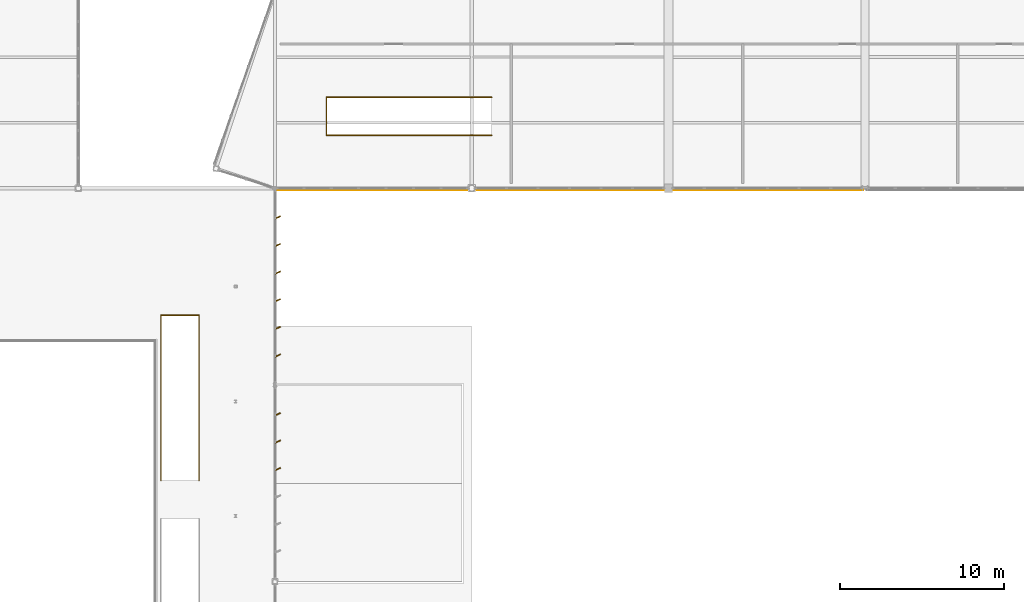
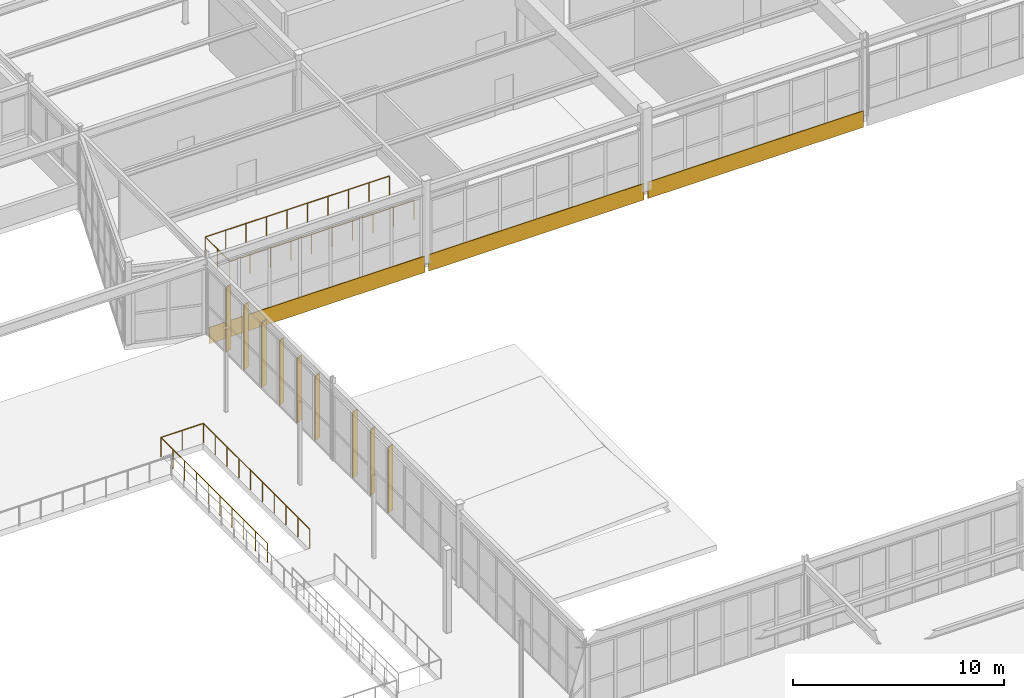
# One storey, part 221 of 226: 9 shading devices, 3 coverings, 2 railings.
"""IFC4 building model written with IfcOpenShell, lengths in metres."""

from ifc_helpers import new_model, si_unit, direction, frame, origin, origin_2d, place, context, subcontext, project, spatial, rectangle, circle, extrude, material, layer, layer_set, type_object, element, save


model = new_model("IFC4")

# Units and contexts
model_context = context("Model", 3, precision=1e-05, world=origin(), true_north=direction((0.0, 1.0)))
body_context = subcontext(model_context, "Body", "Model", "MODEL_VIEW")
ifc_project = project(units=[si_unit("LENGTHUNIT", "METRE"), si_unit("AREAUNIT", "SQUARE_METRE"), si_unit("VOLUMEUNIT", "CUBIC_METRE"), si_unit("PLANEANGLEUNIT", "RADIAN"), si_unit("MASSUNIT", "GRAM", prefix="KILO")], contexts=[model_context])

# Site, building, storey
site_placement = place(None, origin())
site = spatial("IfcSite", under=ifc_project, at=site_placement, CompositionType="ELEMENT")
building_placement = place(site_placement, origin())
building = spatial("IfcBuilding", under=site, at=building_placement, Name="Tarnwether General Hospital", CompositionType="ELEMENT")
storey_placement = place(building_placement, frame((0.0, 0.0, 4.800048828125)))
storey = spatial("IfcBuildingStorey", under=building, at=storey_placement, Name="L01", CompositionType="ELEMENT", Elevation=4.800048828125)

# Coverings
ifc_material_1 = material(Name="Folded zinc-titanium cladding")
ifc_layer_1 = layer(ifc_material_1, 0.0400390625)
ifc_layer_set_1 = layer_set([ifc_layer_1], Name="Folded zinc-titanium cladding")
covering_type = type_object("IfcCoveringType", Name="CV-CLD-ZNC", PredefinedType="CLADDING", material=ifc_layer_set_1)
for number, where, z_axis, x_axis, name in (
    (1, (150.0, 81.510009765625, -0.55517578125), (0.0, 0.0, 1.0), (1.0, 0.0, 0.0), "Deconstructivist Faceted Zinc Spandrel Blade 009"),
    (2, (162.0, 81.510009765625, -0.55517578125), (0.0, 0.0, 1.0), (1.0, 0.0, 0.0), "Deconstructivist Faceted Zinc Spandrel Blade 010"),
    (3, (174.0, 81.510009765625, -0.55517578125), (0.0, 0.0, 1.0), (1.0, 0.0, 0.0), "Deconstructivist Faceted Zinc Spandrel Blade 011"),
):
    element("IfcCovering", number, at=place(storey_placement, frame(where, z_axis=z_axis, x_axis=x_axis)), inside=storey, type_object=covering_type, Name=name, PredefinedType="CLADDING", context=body_context, shape_type="SweptSolid", body=[
        extrude(rectangle(XDim=11.800048828125, YDim=0.0400390625, at=origin_2d()), origin(), (0.0, 0.0, 1.0), 0.949951171875),
    ])

# Railings
ifc_material_2 = material(Name="Anodised aluminium", Category="aluminium")
railing_type = type_object("IfcRailingType", Name="RL-GRD-EXT", PredefinedType="GUARDRAIL", material=ifc_material_2)
railing_1_placement = place(storey_placement, frame((137.0400390625, 63.780029296875, 0.0)))
element("IfcRailing", 4, at=railing_1_placement, inside=storey, type_object=railing_type, Name="Feature Stair Well Guard ST-12 L01", PredefinedType="GUARDRAIL", context=body_context, shape_type="SweptSolid", body=[
    extrude(circle(Radius=0.02392578125, at=origin_2d()), frame((0.0, 0.0, 1.1259765625), z_axis=(0.0, 1.0, 0.0), x_axis=(-1.0, 0.0, 0.0)), (0.0, 0.0, 1.0), 10.080078125),
    extrude(circle(Radius=0.02392578125, at=origin_2d()), frame((0.0, 10.080078125, 1.1259765625), z_axis=(1.0, 0.0, 0.0), x_axis=(0.0, 1.0, 0.0)), (0.0, 0.0, 1.0), 2.320068359375),
    extrude(circle(Radius=0.02392578125, at=origin_2d()), frame((2.320068359375, 10.080078125, 1.1259765625), z_axis=(0.0, -1.0, 0.0), x_axis=(1.0, 0.0, 0.0)), (0.0, 0.0, 1.0), 10.080078125),
    extrude(circle(Radius=0.02099609375, at=origin_2d()), origin(), (0.0, 0.0, 1.0), 1.101806640625),
    extrude(circle(Radius=0.02099609375, at=origin_2d()), frame((0.0, 1.1201171875, 0.0)), (0.0, 0.0, 1.0), 1.101806640625),
    extrude(circle(Radius=0.02099609375, at=origin_2d()), frame((0.0, 2.239990234375, 0.0)), (0.0, 0.0, 1.0), 1.101806640625),
    extrude(circle(Radius=0.02099609375, at=origin_2d()), frame((0.0, 3.360107421875, 0.0)), (0.0, 0.0, 1.0), 1.101806640625),
    extrude(circle(Radius=0.02099609375, at=origin_2d()), frame((0.0, 4.47998046875, 0.0)), (0.0, 0.0, 1.0), 1.101806640625),
    extrude(circle(Radius=0.02099609375, at=origin_2d()), frame((0.0, 5.60009765625, 0.0)), (0.0, 0.0, 1.0), 1.101806640625),
    extrude(circle(Radius=0.02099609375, at=origin_2d()), frame((0.0, 6.719970703125, 0.0)), (0.0, 0.0, 1.0), 1.101806640625),
    extrude(circle(Radius=0.02099609375, at=origin_2d()), frame((0.0, 7.840087890625, 0.0)), (0.0, 0.0, 1.0), 1.101806640625),
    extrude(circle(Radius=0.02099609375, at=origin_2d()), frame((0.0, 8.9599609375, 0.0)), (0.0, 0.0, 1.0), 1.101806640625),
    extrude(circle(Radius=0.02099609375, at=origin_2d()), frame((0.0, 10.080078125, 0.0)), (0.0, 0.0, 1.0), 1.101806640625),
    extrude(circle(Radius=0.02099609375, at=origin_2d()), frame((1.16015625, 10.080078125, 0.0)), (0.0, 0.0, 1.0), 1.101806640625),
    extrude(circle(Radius=0.02099609375, at=origin_2d()), frame((2.320068359375, 10.080078125, 0.0)), (0.0, 0.0, 1.0), 1.101806640625),
    extrude(circle(Radius=0.02099609375, at=origin_2d()), frame((2.320068359375, 8.9599609375, 0.0)), (0.0, 0.0, 1.0), 1.101806640625),
    extrude(circle(Radius=0.02099609375, at=origin_2d()), frame((2.320068359375, 7.840087890625, 0.0)), (0.0, 0.0, 1.0), 1.101806640625),
    extrude(circle(Radius=0.02099609375, at=origin_2d()), frame((2.320068359375, 6.719970703125, 0.0)), (0.0, 0.0, 1.0), 1.101806640625),
    extrude(circle(Radius=0.02099609375, at=origin_2d()), frame((2.320068359375, 5.60009765625, 0.0)), (0.0, 0.0, 1.0), 1.101806640625),
    extrude(circle(Radius=0.02099609375, at=origin_2d()), frame((2.320068359375, 4.47998046875, 0.0)), (0.0, 0.0, 1.0), 1.101806640625),
    extrude(circle(Radius=0.02099609375, at=origin_2d()), frame((2.320068359375, 3.360107421875, 0.0)), (0.0, 0.0, 1.0), 1.101806640625),
    extrude(circle(Radius=0.02099609375, at=origin_2d()), frame((2.320068359375, 2.239990234375, 0.0)), (0.0, 0.0, 1.0), 1.101806640625),
    extrude(circle(Radius=0.02099609375, at=origin_2d()), frame((2.320068359375, 1.1201171875, 0.0)), (0.0, 0.0, 1.0), 1.101806640625),
    extrude(circle(Radius=0.02099609375, at=origin_2d()), frame((2.320068359375, 0.0, 0.0)), (0.0, 0.0, 1.0), 1.101806640625),
])
railing_2_placement = place(storey_placement, frame((157.219970703125, 84.840087890625, 0.0)))
element("IfcRailing", 5, at=railing_2_placement, inside=storey, type_object=railing_type, Name="Feature Stair Well Guard ST-14 L01", PredefinedType="GUARDRAIL", context=body_context, shape_type="SweptSolid", body=[
    extrude(circle(Radius=0.02392578125, at=origin_2d()), frame((0.0, 0.0, 1.1259765625), z_axis=(-1.0, 0.0, 0.0), x_axis=(0.0, -1.0, 0.0)), (0.0, 0.0, 1.0), 10.080078125),
    extrude(circle(Radius=0.02392578125, at=origin_2d()), frame((-10.080078125, 0.0, 1.1259765625), z_axis=(0.0, 1.0, 0.0), x_axis=(-1.0, 0.0, 0.0)), (0.0, 0.0, 1.0), 2.31982421875),
    extrude(circle(Radius=0.02392578125, at=origin_2d()), frame((-10.080078125, 2.31982421875, 1.1259765625), z_axis=(1.0, 0.0, 0.0), x_axis=(0.0, 1.0, 0.0)), (0.0, 0.0, 1.0), 10.080078125),
    extrude(circle(Radius=0.02099609375, at=origin_2d()), origin(), (0.0, 0.0, 1.0), 1.101806640625),
    extrude(circle(Radius=0.02099609375, at=origin_2d()), frame((-1.1201171875, 0.0, 0.0)), (0.0, 0.0, 1.0), 1.101806640625),
    extrude(circle(Radius=0.02099609375, at=origin_2d()), frame((-2.239990234375, 0.0, 0.0)), (0.0, 0.0, 1.0), 1.101806640625),
    extrude(circle(Radius=0.02099609375, at=origin_2d()), frame((-3.360107421875, 0.0, 0.0)), (0.0, 0.0, 1.0), 1.101806640625),
    extrude(circle(Radius=0.02099609375, at=origin_2d()), frame((-4.47998046875, 0.0, 0.0)), (0.0, 0.0, 1.0), 1.101806640625),
    extrude(circle(Radius=0.02099609375, at=origin_2d()), frame((-5.60009765625, 0.0, 0.0)), (0.0, 0.0, 1.0), 1.101806640625),
    extrude(circle(Radius=0.02099609375, at=origin_2d()), frame((-6.719970703125, 0.0, 0.0)), (0.0, 0.0, 1.0), 1.101806640625),
    extrude(circle(Radius=0.02099609375, at=origin_2d()), frame((-7.840087890625, 0.0, 0.0)), (0.0, 0.0, 1.0), 1.101806640625),
    extrude(circle(Radius=0.02099609375, at=origin_2d()), frame((-8.9599609375, 0.0, 0.0)), (0.0, 0.0, 1.0), 1.101806640625),
    extrude(circle(Radius=0.02099609375, at=origin_2d()), frame((-10.080078125, 0.0, 0.0)), (0.0, 0.0, 1.0), 1.101806640625),
    extrude(circle(Radius=0.02099609375, at=origin_2d()), frame((-10.080078125, 1.159912109375, 0.0)), (0.0, 0.0, 1.0), 1.101806640625),
    extrude(circle(Radius=0.02099609375, at=origin_2d()), frame((-10.080078125, 2.31982421875, 0.0)), (0.0, 0.0, 1.0), 1.101806640625),
    extrude(circle(Radius=0.02099609375, at=origin_2d()), frame((-8.9599609375, 2.31982421875, 0.0)), (0.0, 0.0, 1.0), 1.101806640625),
    extrude(circle(Radius=0.02099609375, at=origin_2d()), frame((-7.840087890625, 2.31982421875, 0.0)), (0.0, 0.0, 1.0), 1.101806640625),
    extrude(circle(Radius=0.02099609375, at=origin_2d()), frame((-6.719970703125, 2.31982421875, 0.0)), (0.0, 0.0, 1.0), 1.101806640625),
    extrude(circle(Radius=0.02099609375, at=origin_2d()), frame((-5.60009765625, 2.31982421875, 0.0)), (0.0, 0.0, 1.0), 1.101806640625),
    extrude(circle(Radius=0.02099609375, at=origin_2d()), frame((-4.47998046875, 2.31982421875, 0.0)), (0.0, 0.0, 1.0), 1.101806640625),
    extrude(circle(Radius=0.02099609375, at=origin_2d()), frame((-3.360107421875, 2.31982421875, 0.0)), (0.0, 0.0, 1.0), 1.101806640625),
    extrude(circle(Radius=0.02099609375, at=origin_2d()), frame((-2.239990234375, 2.31982421875, 0.0)), (0.0, 0.0, 1.0), 1.101806640625),
    extrude(circle(Radius=0.02099609375, at=origin_2d()), frame((-1.1201171875, 2.31982421875, 0.0)), (0.0, 0.0, 1.0), 1.101806640625),
    extrude(circle(Radius=0.02099609375, at=origin_2d()), frame((0.0, 2.31982421875, 0.0)), (0.0, 0.0, 1.0), 1.101806640625),
])

# Shading devices
ifc_material_3 = material(Name="Champagne-bronze anodised aluminium", Category="aluminium")
ifc_layer_2 = layer(ifc_material_3, 0.06005859375)
ifc_layer_set_2 = layer_set([ifc_layer_2], Name="Champagne-bronze anodised aluminium")
shading_device_type = type_object("IfcShadingDeviceType", Name="SH-FIN-BRZ", PredefinedType="USERDEFINED", material=ifc_layer_set_2)
for number, where, z_axis, x_axis, name in (
    (6, (144.159912109375, 79.824951171875, 0.050048828125), (0.0, 0.0, 1.0), (0.422618261741, -0.906307787037, 0.0), "Champagne-Bronze Brise-Soleil Fin 0230"),
    (7, (144.159912109375, 78.138916015625, 0.050048828125), (0.0, 0.0, 1.0), (0.422618261741, -0.906307787037, 0.0), "Champagne-Bronze Brise-Soleil Fin 0231"),
    (8, (144.159912109375, 76.452880859375, 0.050048828125), (0.0, 0.0, 1.0), (0.422618261741, -0.906307787037, 0.0), "Champagne-Bronze Brise-Soleil Fin 0232"),
    (9, (144.159912109375, 74.76708984375, 0.050048828125), (0.0, 0.0, 1.0), (0.422618261741, -0.906307787037, 0.0), "Champagne-Bronze Brise-Soleil Fin 0233"),
    (10, (144.159912109375, 73.0810546875, 0.050048828125), (0.0, 0.0, 1.0), (0.422618261741, -0.906307787037, 0.0), "Champagne-Bronze Brise-Soleil Fin 0234"),
    (11, (144.159912109375, 71.39501953125, 0.050048828125), (0.0, 0.0, 1.0), (0.422618261741, -0.906307787037, 0.0), "Champagne-Bronze Brise-Soleil Fin 0235"),
):
    element("IfcShadingDevice", number, at=place(storey_placement, frame(where, z_axis=z_axis, x_axis=x_axis)), inside=storey, type_object=shading_device_type, Name=name, ObjectType="SOLAR FIN", PredefinedType="USERDEFINED", context=body_context, shape_type="SweptSolid", body=[
        extrude(rectangle(XDim=0.06005859375, YDim=0.360107421875, at=origin_2d()), origin(), (0.0, 0.0, 1.0), 3.72802734375),
    ])
for number, where, z_axis, x_axis, name in (
    (12, (144.159912109375, 67.81591796875, 0.0498046875), (0.0, 0.0, 1.0), (0.422618261741, -0.906307787037, 0.0), "Champagne-Bronze Brise-Soleil Fin 0236"),
    (13, (144.159912109375, 66.14208984375, 0.0498046875), (0.0, 0.0, 1.0), (0.422618261741, -0.906307787037, 0.0), "Champagne-Bronze Brise-Soleil Fin 0237"),
    (14, (144.159912109375, 64.467041015625, 0.0498046875), (0.0, 0.0, 1.0), (0.422618261741, -0.906307787037, 0.0), "Champagne-Bronze Brise-Soleil Fin 0238"),
):
    element("IfcShadingDevice", number, at=place(storey_placement, frame(where, z_axis=z_axis, x_axis=x_axis)), inside=storey, type_object=shading_device_type, Name=name, ObjectType="SOLAR FIN", PredefinedType="USERDEFINED", context=body_context, shape_type="SweptSolid", body=[
        extrude(rectangle(XDim=0.06005859375, YDim=0.360107421875, at=origin_2d()), origin(), (0.0, 0.0, 1.0), 3.797119140625),
    ])

save(model, "model.ifc")
